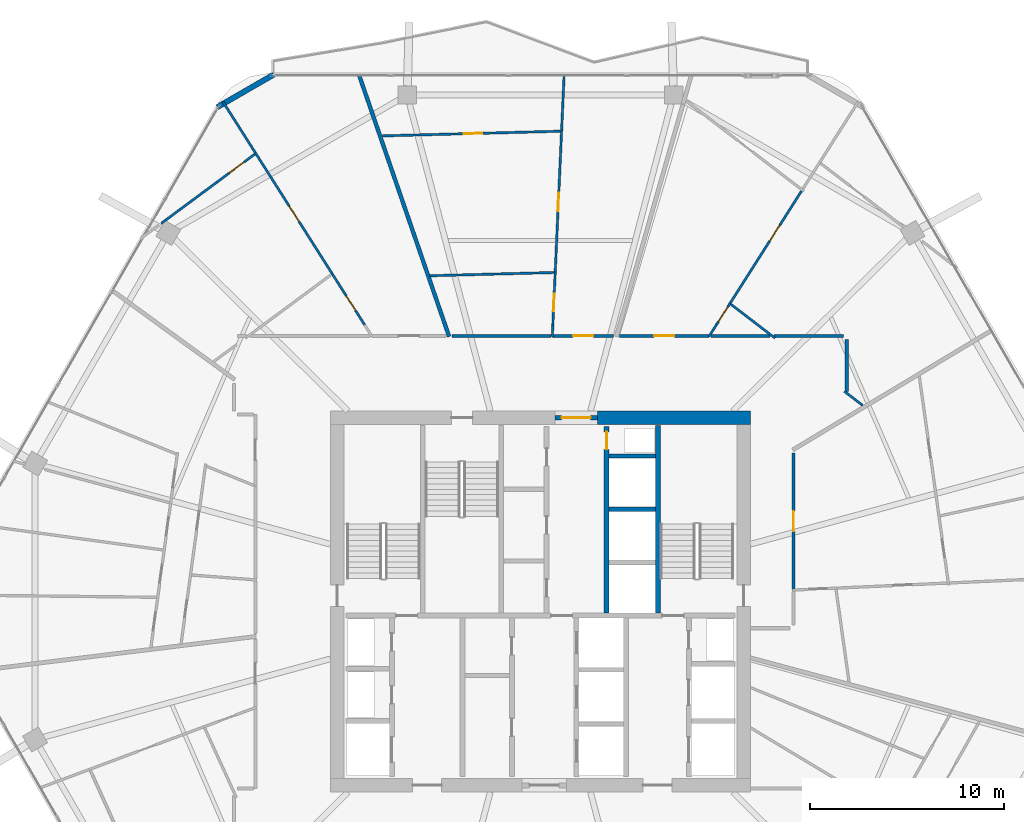
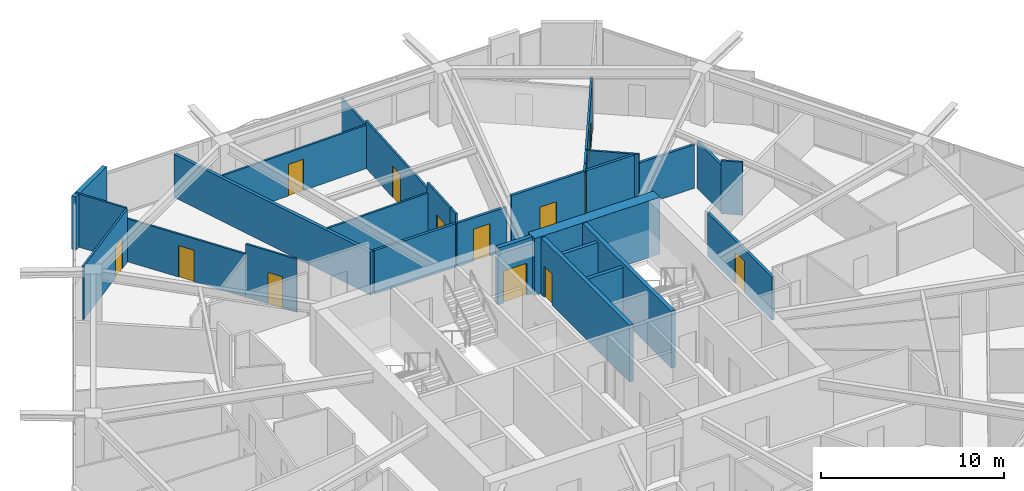
# One storey, part 22 of 25: 30 walls, 13 doors, 13 openings.
"""IFC4 building model written with IfcOpenShell, lengths in metres."""

from ifc_helpers import new_model, si_unit, direction, frame, frame_2d, origin, place, context, subcontext, project, spatial, rectangle, extrude, material, layer, layer_set, type_object, element, fill, save


model = new_model("IFC4")

# Units and contexts
model_context = context("Model", 3, precision=1e-05, world=origin(), true_north=direction((0.0, 1.0)))
body_context = subcontext(model_context, "Body", "Model", "MODEL_VIEW")
ifc_project = project(units=[si_unit("LENGTHUNIT", "METRE"), si_unit("AREAUNIT", "SQUARE_METRE"), si_unit("VOLUMEUNIT", "CUBIC_METRE"), si_unit("PLANEANGLEUNIT", "RADIAN"), si_unit("MASSUNIT", "GRAM", prefix="KILO")], contexts=[model_context])

# Site, building, storey
site_placement = place(None, origin())
site = spatial("IfcSite", under=ifc_project, at=site_placement, CompositionType="ELEMENT")
building_placement = place(site_placement, origin())
building = spatial("IfcBuilding", under=site, at=building_placement, Name="Zuhravey Tower", CompositionType="ELEMENT")
storey_placement = place(building_placement, frame((0.0, 0.0, 196.0)))
storey = spatial("IfcBuildingStorey", under=building, at=storey_placement, Name="L49", CompositionType="ELEMENT", Elevation=196.0)

# Wall
ifc_material_1 = material(Name="Concrete C60/75", Category="concrete")
ifc_layer_1 = layer(ifc_material_1, 0.699951171875)
ifc_layer_set_1 = layer_set([ifc_layer_1], Name="Concrete C60/75")
wall_type_1 = type_object("IfcWallType", Name="Core Shear Wall 700", PredefinedType="SHEAR", material=ifc_layer_set_1)
wall_1_placement = place(storey_placement, frame((46.85009765625, 41.5, 0.0), z_axis=(0.0, 0.0, 1.0), x_axis=(-1.0, 0.0, 0.0)))
element("IfcWall", 1, at=wall_1_placement, inside=storey, type_object=wall_type_1, Name="L49 North-East Core Shear Wall CW70", PredefinedType="SHEAR", context=body_context, shape_type="SweptSolid", body=[
    extrude(rectangle(XDim=7.900146484375, YDim=0.699951171875, at=frame_2d((3.9501953125, 0.0))), origin(), (0.0, 0.0, 1.0), 3.800048828125),
])

# Wall, opening, door
ifc_material_2 = material(Name="Gypsum fire-rated stud partition")
ifc_layer_2 = layer(ifc_material_2, 0.159912109375)
ifc_layer_set_2 = layer_set([ifc_layer_2], Name="Gypsum fire-rated stud partition")
wall_type_2 = type_object("IfcWallType", Name="Corridor Fire Partition 160", PredefinedType="PARTITIONING", material=ifc_layer_set_2)
wall_2_placement = place(storey_placement, frame((44.709716796875, 45.72998046875, 0.0), z_axis=(0.0, 0.0, 1.0), x_axis=(-1.0, 0.0, 0.0)))
wall_2 = element("IfcWall", 2, at=wall_2_placement, inside=storey, type_object=wall_type_2, Name="L49 IW16 Partition 024", PredefinedType="PARTITIONING", context=body_context, shape_type="SweptSolid", body=[
    extrude(rectangle(XDim=4.621826171875, YDim=0.159912109375, at=frame_2d((2.31103515625, 0.0))), origin(), (0.0, 0.0, 1.0), 3.550048828125),
])
opening_1_placement = place(wall_2_placement, frame((1.785888671875, 0.0, 0.0)))
opening_1 = element("IfcOpeningElement", 3, at=opening_1_placement, cuts=wall_2, Name="Opening APD1", PredefinedType="OPENING", context=body_context, shape_type="SweptSolid", body=[
    extrude(rectangle(XDim=1.050048828125, YDim=2.14990234375, at=frame_2d((0.52490234375, 1.074951171875))), frame((0.0, 0.092041015625, 0.0), z_axis=(0.0, -1.0, 0.0), x_axis=(1.0, 0.0, 0.0)), (0.0, 0.0, 1.0), 0.183837890625),
])
ifc_material_3 = material(Name="Solid-core oak fire-rated leaf")
door_type_1 = type_object("IfcDoorType", Name="Apartment Entrance Fire Door 1050x2150", OperationType="NOTDEFINED", PredefinedType="DOOR", material=ifc_material_3)
door_1_placement = place(opening_1_placement, frame((1.050048828125, 0.0, 0.0), z_axis=(0.0, 0.0, 1.0), x_axis=(-1.0, 0.0, 0.0)))
door_1 = element("IfcDoor", 4, at=door_1_placement, inside=storey, type_object=door_type_1, Name="L49 Door 024.1", OperationType="SINGLE_SWING_LEFT", OverallHeight=2.14990234375, OverallWidth=1.050048828125, PredefinedType="DOOR", context=body_context, shape_type="SweptSolid", body=[
    extrude(rectangle(XDim=1.050048828125, YDim=2.14990234375, at=frame_2d((0.52490234375, 1.074951171875))), frame((0.0, 0.02490234375, 0.0), z_axis=(0.0, -1.0, 0.0), x_axis=(1.0, 0.0, 0.0)), (0.0, 0.0, 1.0), 0.050048828125),
])
fill(opening_1, door_1)

wall_3_placement = place(storey_placement, frame((39.786865234375, 45.72998046875, 0.0), z_axis=(0.0, 0.0, 1.0), x_axis=(-1.0, 0.0, 0.0)))
wall_3 = element("IfcWall", 5, at=wall_3_placement, inside=storey, type_object=wall_type_2, Name="L49 IW16 Partition 028", PredefinedType="PARTITIONING", context=body_context, shape_type="SweptSolid", body=[
    extrude(rectangle(XDim=3.148193359375, YDim=0.159912109375, at=frame_2d((1.57421875, 0.0))), origin(), (0.0, 0.0, 1.0), 2.89990234375),
])
opening_2_placement = place(wall_3_placement, frame((1.049072265625, 0.0, 0.0)))
opening_2 = element("IfcOpeningElement", 6, at=opening_2_placement, cuts=wall_3, Name="Opening APD1", PredefinedType="OPENING", context=body_context, shape_type="SweptSolid", body=[
    extrude(rectangle(XDim=1.050048828125, YDim=2.14990234375, at=frame_2d((0.52490234375, 1.074951171875))), frame((0.0, 0.092041015625, 0.0), z_axis=(0.0, -1.0, 0.0), x_axis=(1.0, 0.0, 0.0)), (0.0, 0.0, 1.0), 0.183837890625),
])
door_2_placement = place(opening_2_placement, frame((1.050048828125, 0.0, 0.0), z_axis=(0.0, 0.0, 1.0), x_axis=(-1.0, 0.0, 0.0)))
door_2 = element("IfcDoor", 7, at=door_2_placement, inside=storey, type_object=door_type_1, Name="L49 Door 028.1", OperationType="SINGLE_SWING_LEFT", OverallHeight=2.14990234375, OverallWidth=1.050048828125, PredefinedType="DOOR", context=body_context, shape_type="SweptSolid", body=[
    extrude(rectangle(XDim=1.050048828125, YDim=2.14990234375, at=frame_2d((0.52490234375, 1.074951171875))), frame((0.0, 0.02490234375, 0.0), z_axis=(0.0, -1.0, 0.0), x_axis=(1.0, 0.0, 0.0)), (0.0, 0.0, 1.0), 0.050048828125),
])
fill(opening_2, door_2)

wall_4_placement = place(storey_placement, frame((49.080078125, 32.614013671875, 0.0), z_axis=(0.0, 0.0, 1.0), x_axis=(0.0, 1.0, 0.0)))
wall_4 = element("IfcWall", 8, at=wall_4_placement, inside=storey, type_object=wall_type_2, Name="L49 IW16 Partition 056", PredefinedType="PARTITIONING", context=body_context, shape_type="SweptSolid", body=[
    extrude(rectangle(XDim=7.0673828125, YDim=0.159912109375, at=frame_2d((3.53369140625, 0.0))), origin(), (0.0, 0.0, 1.0), 2.89990234375),
])
opening_3_placement = place(wall_4_placement, frame((3.0087890625, 0.0, 0.0)))
opening_3 = element("IfcOpeningElement", 9, at=opening_3_placement, cuts=wall_4, Name="Opening APD1", PredefinedType="OPENING", context=body_context, shape_type="SweptSolid", body=[
    extrude(rectangle(XDim=1.050048828125, YDim=2.14990234375, at=frame_2d((0.52490234375, 1.074951171875))), frame((0.0, 0.092041015625, 0.0), z_axis=(0.0, -1.0, 0.0), x_axis=(1.0, 0.0, 0.0)), (0.0, 0.0, 1.0), 0.183837890625),
])
door_3_placement = place(opening_3_placement, frame((1.050048828125, 0.0, 0.0), z_axis=(0.0, 0.0, 1.0), x_axis=(-1.0, 0.0, 0.0)))
door_3 = element("IfcDoor", 10, at=door_3_placement, inside=storey, type_object=door_type_1, Name="L49 Door 056.1", OperationType="SINGLE_SWING_RIGHT", OverallHeight=2.14990234375, OverallWidth=1.050048828125, PredefinedType="DOOR", context=body_context, shape_type="SweptSolid", body=[
    extrude(rectangle(XDim=1.050048828125, YDim=2.14990234375, at=frame_2d((0.52490234375, 1.074951171875))), frame((0.0, 0.02490234375, 0.0), z_axis=(0.0, -1.0, 0.0), x_axis=(1.0, 0.0, 0.0)), (0.0, 0.0, 1.0), 0.050048828125),
])
fill(opening_3, door_3)

# Walls
wall_5_placement = place(storey_placement, frame((47.85791015625, 45.72998046875, 0.0), z_axis=(0.0, 0.0, 1.0), x_axis=(-1.0, 0.0, 0.0)))
element("IfcWall", 11, at=wall_5_placement, inside=storey, type_object=wall_type_2, Name="L49 IW16 Partition 119", PredefinedType="PARTITIONING", context=body_context, shape_type="SweptSolid", body=[
    extrude(rectangle(XDim=3.043701171875, YDim=0.159912109375, at=frame_2d((1.52197265625, 0.0))), origin(), (0.0, 0.0, 1.0), 3.550048828125),
])
wall_6_placement = place(storey_placement, frame((51.64990234375, 45.72998046875, 0.0), z_axis=(0.0, 0.0, 1.0), x_axis=(-1.0, 0.0, 0.0)))
element("IfcWall", 12, at=wall_6_placement, inside=storey, type_object=wall_type_2, Name="L49 IW16 Partition 120", PredefinedType="PARTITIONING", context=body_context, shape_type="SweptSolid", body=[
    extrude(rectangle(XDim=3.568603515625, YDim=0.159912109375, at=frame_2d((1.7841796875, 0.0))), origin(), (0.0, 0.0, 1.0), 2.89990234375),
])
wall_7_placement = place(storey_placement, frame((51.830078125, 42.853515625, 0.0), z_axis=(0.0, 0.0, 1.0), x_axis=(0.0, 1.0, 0.0)))
element("IfcWall", 13, at=wall_7_placement, inside=storey, type_object=wall_type_2, Name="L49 IW16 Partition 121", PredefinedType="PARTITIONING", context=body_context, shape_type="SweptSolid", body=[
    extrude(rectangle(XDim=2.696533203125, YDim=0.159912109375, at=frame_2d((1.34814453125, 0.0))), origin(), (0.0, 0.0, 1.0), 3.14990234375),
])
wall_8_placement = place(storey_placement, frame((36.550537109375, 45.72998046875, 0.0), z_axis=(0.0, 0.0, 1.0), x_axis=(-1.0, 0.0, 0.0)))
element("IfcWall", 14, at=wall_8_placement, inside=storey, type_object=wall_type_2, Name="L49 IW16 Partition 122", PredefinedType="PARTITIONING", context=body_context, shape_type="SweptSolid", body=[
    extrude(rectangle(XDim=5.12353515625, YDim=0.159912109375, at=frame_2d((2.561767578125, 0.0))), origin(), (0.0, 0.0, 1.0), 2.89990234375),
])
ifc_material_4 = material(Name="Precast concrete C40/50", Category="concrete")
ifc_layer_3 = layer(ifc_material_4, 0.280029296875)
ifc_layer_set_3 = layer_set([ifc_layer_3], Name="Precast concrete C40/50")
wall_type_3 = type_object("IfcWallType", Name="Crown Architectural Wall 280", PredefinedType="SOLIDWALL", material=ifc_layer_set_3)
wall_9_placement = place(storey_placement, frame((19.306884765625, 57.548095703125, 0.0), z_axis=(0.0, 0.0, 1.0), x_axis=(0.866020068361, 0.500009241111, 0.0)))
element("IfcWall", 15, at=wall_9_placement, inside=storey, type_object=wall_type_3, Name="L49 Rounded Corner Closure Wall EW28-08", PredefinedType="SOLIDWALL", context=body_context, shape_type="SweptSolid", body=[
    extrude(rectangle(XDim=3.365234375, YDim=0.280029296875, at=frame_2d((1.6826171875, 0.0))), origin(), (0.0, 0.0, 1.0), 3.550048828125),
])

# Wall, opening, door
ifc_material_5 = material(Name="Concrete C50/60", Category="concrete")
ifc_layer_4 = layer(ifc_material_5, 0.25)
ifc_layer_set_4 = layer_set([ifc_layer_4], Name="Concrete C50/60")
wall_type_4 = type_object("IfcWallType", Name="Firefighting Shaft & Stair Wall 250", PredefinedType="SOLIDWALL", material=ifc_layer_set_4)
wall_10_placement = place(storey_placement, frame((36.760009765625, 41.5, 0.0), z_axis=(0.0, 0.0, 1.0), x_axis=(1.0, 0.0, 0.0)))
wall_10 = element("IfcWall", 16, at=wall_10_placement, inside=storey, type_object=wall_type_4, Name="L49 FW25 Shaft Wall 002", PredefinedType="SOLIDWALL", context=body_context, shape_type="SweptSolid", body=[
    extrude(rectangle(XDim=2.179931640625, YDim=0.25, at=frame_2d((1.08984375, 0.0))), origin(), (0.0, 0.0, 1.0), 3.800048828125),
])
opening_4_placement = place(wall_10_placement, frame((0.340087890625, 0.0, 0.0)))
opening_4 = element("IfcOpeningElement", 17, at=opening_4_placement, cuts=wall_10, Name="Opening FFD1", PredefinedType="OPENING", context=body_context, shape_type="SweptSolid", body=[
    extrude(rectangle(XDim=1.5, YDim=2.14990234375, at=frame_2d((0.75, 1.074951171875))), frame((0.0, 0.136962890625, 0.0), z_axis=(0.0, -1.0, 0.0), x_axis=(1.0, 0.0, 0.0)), (0.0, 0.0, 1.0), 0.27392578125),
])
ifc_material_6 = material(Name="Galvanised fire-rated steel leaf", Category="steel")
door_type_2 = type_object("IfcDoorType", Name="Firefighting Lobby Double Door 1500x2150", OperationType="DOUBLE_DOOR_SINGLE_SWING", PredefinedType="DOOR", material=ifc_material_6)
door_4_placement = place(opening_4_placement, origin())
door_4 = element("IfcDoor", 18, at=door_4_placement, inside=storey, type_object=door_type_2, Name="L49 North Lift Lobby Exit Door", OperationType="DOUBLE_DOOR_SINGLE_SWING", OverallHeight=2.14990234375, OverallWidth=1.5, PredefinedType="DOOR", context=body_context, shape_type="SweptSolid", body=[
    extrude(rectangle(XDim=1.5, YDim=2.14990234375, at=frame_2d((0.75, 1.074951171875))), frame((0.0, 0.02490234375, 0.0), z_axis=(0.0, -1.0, 0.0), x_axis=(1.0, 0.0, 0.0)), (0.0, 0.0, 1.0), 0.050048828125),
])
fill(opening_4, door_4)

# Wall
wall_11_placement = place(storey_placement, frame((42.074951171875, 31.39990234375, 0.0), z_axis=(0.0, 0.0, 1.0), x_axis=(0.0, 1.0, 0.0)))
element("IfcWall", 19, at=wall_11_placement, inside=storey, type_object=wall_type_4, Name="L49 FW25 Shaft Wall 006", PredefinedType="SOLIDWALL", context=body_context, shape_type="SweptSolid", body=[
    extrude(rectangle(XDim=9.7001953125, YDim=0.25, at=frame_2d((4.85009765625, 0.0))), origin(), (0.0, 0.0, 1.0), 3.800048828125),
])

# Wall, opening, door
wall_12_placement = place(storey_placement, frame((39.425048828125, 31.39990234375, 0.0), z_axis=(0.0, 0.0, 1.0), x_axis=(0.0, 1.0, 0.0)))
wall_12 = element("IfcWall", 20, at=wall_12_placement, inside=storey, type_object=wall_type_4, Name="L49 FW25 Shaft Wall 008", PredefinedType="SOLIDWALL", context=body_context, shape_type="SweptSolid", body=[
    extrude(rectangle(XDim=9.650146484375, YDim=0.25, at=frame_2d((4.8251953125, 0.0))), origin(), (0.0, 0.0, 1.0), 3.800048828125),
])
opening_5_placement = place(wall_12_placement, frame((8.469970703125, 0.0, 0.0)))
opening_5 = element("IfcOpeningElement", 21, at=opening_5_placement, cuts=wall_12, Name="Opening RSD1", PredefinedType="OPENING", context=body_context, shape_type="SweptSolid", body=[
    extrude(rectangle(XDim=0.89990234375, YDim=2.10009765625, at=frame_2d((0.449951171875, 1.050048828125))), frame((0.0, 0.136962890625, 0.0), z_axis=(0.0, -1.0, 0.0), x_axis=(1.0, 0.0, 0.0)), (0.0, 0.0, 1.0), 0.27392578125),
])
ifc_material_7 = material(Name="Galvanised fire-rated steel access leaf", Category="steel")
door_type_3 = type_object("IfcDoorType", Name="Riser & Shaft Access Fire Door 900x2100", OperationType="NOTDEFINED", PredefinedType="DOOR", material=ifc_material_7)
door_5_placement = place(opening_5_placement, origin())
door_5 = element("IfcDoor", 22, at=door_5_placement, inside=storey, type_object=door_type_3, Name="L49 North Riser Door", OperationType="SINGLE_SWING_LEFT", OverallHeight=2.10009765625, OverallWidth=0.89990234375, PredefinedType="DOOR", context=body_context, shape_type="SweptSolid", body=[
    extrude(rectangle(XDim=0.89990234375, YDim=2.10009765625, at=frame_2d((0.449951171875, 1.050048828125))), frame((0.0, 0.02490234375, 0.0), z_axis=(0.0, -1.0, 0.0), x_axis=(1.0, 0.0, 0.0)), (0.0, 0.0, 1.0), 0.050048828125),
])
fill(opening_5, door_5)

# Walls
ifc_material_8 = material(Name="Gypsum double-stud party assembly")
ifc_layer_5 = layer(ifc_material_8, 0.199951171875)
ifc_layer_set_5 = layer_set([ifc_layer_5], Name="Gypsum double-stud party assembly")
wall_type_5 = type_object("IfcWallType", Name="Inter-Tenancy Party Wall 200", PredefinedType="PARTITIONING", material=ifc_layer_set_5)
wall_13_placement = place(storey_placement, frame((31.2861328125, 45.68994140625, 0.0), z_axis=(0.0, 0.0, 1.0), x_axis=(-0.325563588547, 0.945520147756, 0.0)))
element("IfcWall", 23, at=wall_13_placement, inside=storey, type_object=wall_type_5, Name="L49 IW20 Partition 076", PredefinedType="PARTITIONING", context=body_context, shape_type="SweptSolid", body=[
    extrude(rectangle(XDim=14.2705078125, YDim=0.199951171875, at=frame_2d((7.13525390625, 0.0))), origin(), (0.0, 0.0, 1.0), 2.8701171875),
])
ifc_material_9 = material(Name="Gypsum acoustic stud assembly")
ifc_layer_6 = layer(ifc_material_9, 0.219970703125)
ifc_layer_set_6 = layer_set([ifc_layer_6], Name="Gypsum acoustic stud assembly")
wall_type_6 = type_object("IfcWallType", Name="School Acoustic Compartment Wall 220", PredefinedType="PARTITIONING", material=ifc_layer_set_6)
for number, where, z_axis, x_axis, name in (
    (24, (39.55810546875, 36.77490234375, 0.0), (0.0, 0.0, 1.0), (1.0, 0.0, 0.0), "L49 IW22 Partition 060"),
    (25, (39.55810546875, 39.52490234375, 0.0), (0.0, 0.0, 1.0), (1.0, 0.0, 0.0), "L49 IW22 Partition 061"),
):
    element("IfcWall", number, at=place(storey_placement, frame(where, z_axis=z_axis, x_axis=x_axis)), inside=storey, type_object=wall_type_6, Name=name, PredefinedType="PARTITIONING", context=body_context, shape_type="SweptSolid", body=[
        extrude(rectangle(XDim=2.3837890625, YDim=0.219970703125, at=frame_2d((1.19189453125, 0.0))), origin(), (0.0, 0.0, 1.0), 3.550048828125),
    ])

# Wall, opening, door
ifc_material_10 = material(Name="Gypsum metal-stud partition")
ifc_layer_7 = layer(ifc_material_10, 0.1201171875)
ifc_layer_set_7 = layer_set([ifc_layer_7], Name="Gypsum metal-stud partition")
wall_type_7 = type_object("IfcWallType", Name="Unit Internal Partition 120", PredefinedType="PARTITIONING", material=ifc_layer_set_7)
wall_14_placement = place(storey_placement, frame((45.09619140625, 46.300048828125, 0.0), z_axis=(0.0, 0.0, 1.0), x_axis=(0.53661359275, 0.843828093913, 0.0)))
wall_14 = element("IfcWall", 26, at=wall_14_placement, inside=storey, type_object=wall_type_7, Name="L49 IW12 Partition 020", PredefinedType="PARTITIONING", context=body_context, shape_type="SweptSolid", body=[
    extrude(rectangle(XDim=1.3271484375, YDim=0.1201171875, at=frame_2d((0.66357421875, 0.0))), origin(), (0.0, 0.0, 1.0), 3.550048828125),
])
opening_6_placement = place(wall_14_placement, frame((0.199951171875, 0.0, 0.0)))
opening_6 = element("IfcOpeningElement", 27, at=opening_6_placement, cuts=wall_14, Name="Opening WCD1", PredefinedType="OPENING", context=body_context, shape_type="SweptSolid", body=[
    extrude(rectangle(XDim=0.89990234375, YDim=2.10009765625, at=frame_2d((0.449951171875, 1.050048828125))), frame((0.0, 0.072021484375, 0.0), z_axis=(0.0, -1.0, 0.0), x_axis=(1.0, 0.0, 0.0)), (0.0, 0.0, 1.0), 0.14404296875),
])
ifc_material_11 = material(Name="Moisture-resistant timber leaf", Category="wood")
door_type_4 = type_object("IfcDoorType", Name="Bathroom & WC Internal Door 900x2100", OperationType="NOTDEFINED", PredefinedType="DOOR", material=ifc_material_11)
door_6_placement = place(opening_6_placement, frame((0.89990234375, 0.0, 0.0), z_axis=(0.0, 0.0, 1.0), x_axis=(-1.0, 0.0, 0.0)))
door_6 = element("IfcDoor", 28, at=door_6_placement, inside=storey, type_object=door_type_4, Name="Apartment L49-01 Bathroom Door", OperationType="SINGLE_SWING_RIGHT", OverallHeight=2.10009765625, OverallWidth=0.89990234375, PredefinedType="DOOR", context=body_context, shape_type="SweptSolid", body=[
    extrude(rectangle(XDim=0.89990234375, YDim=2.10009765625, at=frame_2d((0.449951171875, 1.050048828125))), frame((0.0, 0.02490234375, 0.0), z_axis=(0.0, -1.0, 0.0), x_axis=(1.0, 0.0, 0.0)), (0.0, 0.0, 1.0), 0.050048828125),
])
fill(opening_6, door_6)

wall_15_placement = place(storey_placement, frame((45.808349609375, 47.419921875, 0.0), z_axis=(0.0, 0.0, 1.0), x_axis=(0.536718974009, 0.843761069817, 0.0)))
wall_15 = element("IfcWall", 29, at=wall_15_placement, inside=storey, type_object=wall_type_7, Name="L49 IW12 Partition 021", PredefinedType="PARTITIONING", context=body_context, shape_type="SweptSolid", body=[
    extrude(rectangle(XDim=6.863525390625, YDim=0.1201171875, at=frame_2d((3.431640625, 0.0))), origin(), (0.0, 0.0, 1.0), 3.550048828125),
])
opening_7_placement = place(wall_15_placement, frame((3.816650390625, 0.0, 0.0)))
opening_7 = element("IfcOpeningElement", 30, at=opening_7_placement, cuts=wall_15, Name="Opening IND1", PredefinedType="OPENING", context=body_context, shape_type="SweptSolid", body=[
    extrude(rectangle(XDim=0.949951171875, YDim=2.10009765625, at=frame_2d((0.47509765625, 1.050048828125))), frame((0.0, 0.072021484375, 0.0), z_axis=(0.0, -1.0, 0.0), x_axis=(1.0, 0.0, 0.0)), (0.0, 0.0, 1.0), 0.14404296875),
])
ifc_material_12 = material(Name="Painted engineered timber leaf", Category="wood")
door_type_5 = type_object("IfcDoorType", Name="Internal Room & Bedroom Door 950x2100", OperationType="NOTDEFINED", PredefinedType="DOOR", material=ifc_material_12)
door_7_placement = place(opening_7_placement, frame((0.949951171875, 0.0, 0.0), z_axis=(0.0, 0.0, 1.0), x_axis=(-1.0, 0.0, 0.0)))
door_7 = element("IfcDoor", 31, at=door_7_placement, inside=storey, type_object=door_type_5, Name="Apartment L49-01 Home Office Door", OperationType="SINGLE_SWING_LEFT", OverallHeight=2.10009765625, OverallWidth=0.949951171875, PredefinedType="DOOR", context=body_context, shape_type="SweptSolid", body=[
    extrude(rectangle(XDim=0.949951171875, YDim=2.10009765625, at=frame_2d((0.47509765625, 1.050048828125))), frame((0.0, 0.02490234375, 0.0), z_axis=(0.0, -1.0, 0.0), x_axis=(1.0, 0.0, 0.0)), (0.0, 0.0, 1.0), 0.050048828125),
])
fill(opening_7, door_7)

wall_16_placement = place(storey_placement, frame((36.644287109375, 46.300048828125, 0.0), z_axis=(0.0, 0.0, 1.0), x_axis=(0.045050848812, 0.998984695089, 0.0)))
wall_16 = element("IfcWall", 32, at=wall_16_placement, inside=storey, type_object=wall_type_7, Name="L49 IW12 Partition 025", PredefinedType="PARTITIONING", context=body_context, shape_type="SweptSolid", body=[
    extrude(rectangle(XDim=2.731201171875, YDim=0.1201171875, at=frame_2d((1.36572265625, 0.0))), origin(), (0.0, 0.0, 1.0), 3.550048828125),
])
opening_8_placement = place(wall_16_placement, frame((0.697265625, 0.0, 0.0)))
opening_8 = element("IfcOpeningElement", 33, at=opening_8_placement, cuts=wall_16, Name="Opening WCD1", PredefinedType="OPENING", context=body_context, shape_type="SweptSolid", body=[
    extrude(rectangle(XDim=0.89990234375, YDim=2.10009765625, at=frame_2d((0.449951171875, 1.050048828125))), frame((0.0, 0.072021484375, 0.0), z_axis=(0.0, -1.0, 0.0), x_axis=(1.0, 0.0, 0.0)), (0.0, 0.0, 1.0), 0.14404296875),
])
door_8_placement = place(opening_8_placement, origin())
door_8 = element("IfcDoor", 34, at=door_8_placement, inside=storey, type_object=door_type_4, Name="Apartment L49-02 Bathroom Door", OperationType="SINGLE_SWING_RIGHT", OverallHeight=2.10009765625, OverallWidth=0.89990234375, PredefinedType="DOOR", context=body_context, shape_type="SweptSolid", body=[
    extrude(rectangle(XDim=0.89990234375, YDim=2.10009765625, at=frame_2d((0.449951171875, 1.050048828125))), frame((0.0, 0.02490234375, 0.0), z_axis=(0.0, -1.0, 0.0), x_axis=(1.0, 0.0, 0.0)), (0.0, 0.0, 1.0), 0.050048828125),
])
fill(opening_8, door_8)

wall_17_placement = place(storey_placement, frame((36.767333984375, 49.028564453125, 0.0), z_axis=(0.0, 0.0, 1.0), x_axis=(0.044997012293, 0.998987121481, 0.0)))
wall_17 = element("IfcWall", 35, at=wall_17_placement, inside=storey, type_object=wall_type_7, Name="L49 IW12 Partition 026", PredefinedType="PARTITIONING", context=body_context, shape_type="SweptSolid", body=[
    extrude(rectangle(XDim=7.308349609375, YDim=0.1201171875, at=frame_2d((3.654296875, 0.0))), origin(), (0.0, 0.0, 1.0), 3.14990234375),
])
opening_9_placement = place(wall_17_placement, frame((3.154296875, 0.0, 0.0)))
opening_9 = element("IfcOpeningElement", 36, at=opening_9_placement, cuts=wall_17, Name="Opening IND1", PredefinedType="OPENING", context=body_context, shape_type="SweptSolid", body=[
    extrude(rectangle(XDim=0.949951171875, YDim=2.10009765625, at=frame_2d((0.47509765625, 1.050048828125))), frame((0.0, 0.072021484375, 0.0), z_axis=(0.0, -1.0, 0.0), x_axis=(1.0, 0.0, 0.0)), (0.0, 0.0, 1.0), 0.14404296875),
])
door_9_placement = place(opening_9_placement, origin())
door_9 = element("IfcDoor", 37, at=door_9_placement, inside=storey, type_object=door_type_5, Name="Apartment L49-02 Home Office Door", OperationType="SINGLE_SWING_LEFT", OverallHeight=2.10009765625, OverallWidth=0.949951171875, PredefinedType="DOOR", context=body_context, shape_type="SweptSolid", body=[
    extrude(rectangle(XDim=0.949951171875, YDim=2.10009765625, at=frame_2d((0.47509765625, 1.050048828125))), frame((0.0, 0.02490234375, 0.0), z_axis=(0.0, -1.0, 0.0), x_axis=(1.0, 0.0, 0.0)), (0.0, 0.0, 1.0), 0.050048828125),
])
fill(opening_9, door_9)

wall_18_placement = place(storey_placement, frame((37.027099609375, 56.302734375, 0.0), z_axis=(0.0, 0.0, 1.0), x_axis=(-0.999657331669, -0.026176692676, 0.0)))
wall_18 = element("IfcWall", 38, at=wall_18_placement, inside=storey, type_object=wall_type_7, Name="L49 IW12 Partition 027", PredefinedType="PARTITIONING", context=body_context, shape_type="SweptSolid", body=[
    extrude(rectangle(XDim=9.186767578125, YDim=0.1201171875, at=frame_2d((4.59326171875, 0.0))), origin(), (0.0, 0.0, 1.0), 2.89990234375),
])
opening_10_placement = place(wall_18_placement, frame((4.0341796875, 0.0, 0.0)))
opening_10 = element("IfcOpeningElement", 39, at=opening_10_placement, cuts=wall_18, Name="Opening IND1", PredefinedType="OPENING", context=body_context, shape_type="SweptSolid", body=[
    extrude(rectangle(XDim=0.949951171875, YDim=2.10009765625, at=frame_2d((0.47509765625, 1.050048828125))), frame((0.0, 0.072021484375, 0.0), z_axis=(0.0, -1.0, 0.0), x_axis=(1.0, 0.0, 0.0)), (0.0, 0.0, 1.0), 0.14404296875),
])
door_10_placement = place(opening_10_placement, frame((0.949951171875, 0.0, 0.0), z_axis=(0.0, 0.0, 1.0), x_axis=(-1.0, 0.0, 0.0)))
door_10 = element("IfcDoor", 40, at=door_10_placement, inside=storey, type_object=door_type_5, Name="Apartment L49-02 Bedroom 1 Door", OperationType="SINGLE_SWING_RIGHT", OverallHeight=2.10009765625, OverallWidth=0.949951171875, PredefinedType="DOOR", context=body_context, shape_type="SweptSolid", body=[
    extrude(rectangle(XDim=0.949951171875, YDim=2.10009765625, at=frame_2d((0.47509765625, 1.050048828125))), frame((0.0, 0.02490234375, 0.0), z_axis=(0.0, -1.0, 0.0), x_axis=(1.0, 0.0, 0.0)), (0.0, 0.0, 1.0), 0.050048828125),
])
fill(opening_10, door_10)

wall_19_placement = place(storey_placement, frame((26.91796875, 46.300048828125, 0.0), z_axis=(0.0, 0.0, 1.0), x_axis=(-0.53615662064, 0.844118521384, 0.0)))
wall_19 = element("IfcWall", 41, at=wall_19_placement, inside=storey, type_object=wall_type_7, Name="L49 IW12 Partition 029", PredefinedType="PARTITIONING", context=body_context, shape_type="SweptSolid", body=[
    extrude(rectangle(XDim=3.143310546875, YDim=0.1201171875, at=frame_2d((1.57177734375, 0.0))), origin(), (0.0, 0.0, 1.0), 3.550048828125),
])
opening_11_placement = place(wall_19_placement, frame((0.8701171875, 0.0, 0.0)))
opening_11 = element("IfcOpeningElement", 42, at=opening_11_placement, cuts=wall_19, Name="Opening WCD1", PredefinedType="OPENING", context=body_context, shape_type="SweptSolid", body=[
    extrude(rectangle(XDim=0.89990234375, YDim=2.10009765625, at=frame_2d((0.449951171875, 1.050048828125))), frame((0.0, 0.072021484375, 0.0), z_axis=(0.0, -1.0, 0.0), x_axis=(1.0, 0.0, 0.0)), (0.0, 0.0, 1.0), 0.14404296875),
])
door_11_placement = place(opening_11_placement, origin())
door_11 = element("IfcDoor", 43, at=door_11_placement, inside=storey, type_object=door_type_4, Name="Apartment L49-03 Bathroom Door", OperationType="SINGLE_SWING_RIGHT", OverallHeight=2.10009765625, OverallWidth=0.89990234375, PredefinedType="DOOR", context=body_context, shape_type="SweptSolid", body=[
    extrude(rectangle(XDim=0.89990234375, YDim=2.10009765625, at=frame_2d((0.449951171875, 1.050048828125))), frame((0.0, 0.02490234375, 0.0), z_axis=(0.0, -1.0, 0.0), x_axis=(1.0, 0.0, 0.0)), (0.0, 0.0, 1.0), 0.050048828125),
])
fill(opening_11, door_11)

wall_20_placement = place(storey_placement, frame((25.23291015625, 48.953369140625, 0.0), z_axis=(0.0, 0.0, 1.0), x_axis=(-0.536123144508, 0.844139783403, 0.0)))
wall_20 = element("IfcWall", 44, at=wall_20_placement, inside=storey, type_object=wall_type_7, Name="L49 IW12 Partition 030", PredefinedType="PARTITIONING", context=body_context, shape_type="SweptSolid", body=[
    extrude(rectangle(XDim=7.3720703125, YDim=0.1201171875, at=frame_2d((3.68603515625, 0.0))), origin(), (0.0, 0.0, 1.0), 2.8701171875),
])
opening_12_placement = place(wall_20_placement, frame((3.18603515625, 0.0, 0.0)))
opening_12 = element("IfcOpeningElement", 45, at=opening_12_placement, cuts=wall_20, Name="Opening IND1", PredefinedType="OPENING", context=body_context, shape_type="SweptSolid", body=[
    extrude(rectangle(XDim=0.949951171875, YDim=2.10009765625, at=frame_2d((0.47509765625, 1.050048828125))), frame((0.0, 0.072021484375, 0.0), z_axis=(0.0, -1.0, 0.0), x_axis=(1.0, 0.0, 0.0)), (0.0, 0.0, 1.0), 0.14404296875),
])
door_12_placement = place(opening_12_placement, origin())
door_12 = element("IfcDoor", 46, at=door_12_placement, inside=storey, type_object=door_type_5, Name="Apartment L49-03 Home Office Door", OperationType="SINGLE_SWING_LEFT", OverallHeight=2.10009765625, OverallWidth=0.949951171875, PredefinedType="DOOR", context=body_context, shape_type="SweptSolid", body=[
    extrude(rectangle(XDim=0.949951171875, YDim=2.10009765625, at=frame_2d((0.47509765625, 1.050048828125))), frame((0.0, 0.02490234375, 0.0), z_axis=(0.0, -1.0, 0.0), x_axis=(1.0, 0.0, 0.0)), (0.0, 0.0, 1.0), 0.050048828125),
])
fill(opening_12, door_12)

wall_21_placement = place(storey_placement, frame((21.239013671875, 55.11474609375, 0.0), z_axis=(0.0, 0.0, 1.0), x_axis=(-0.803850838381, -0.594830925251, 0.0)))
wall_21 = element("IfcWall", 47, at=wall_21_placement, inside=storey, type_object=wall_type_7, Name="L49 IW12 Partition 031", PredefinedType="PARTITIONING", context=body_context, shape_type="SweptSolid", body=[
    extrude(rectangle(XDim=6.007080078125, YDim=0.1201171875, at=frame_2d((3.00341796875, 0.0))), origin(), (0.0, 0.0, 1.0), 3.550048828125),
])
opening_13_placement = place(wall_21_placement, frame((0.684326171875, 0.0, 0.0)))
opening_13 = element("IfcOpeningElement", 48, at=opening_13_placement, cuts=wall_21, Name="Opening IND1", PredefinedType="OPENING", context=body_context, shape_type="SweptSolid", body=[
    extrude(rectangle(XDim=0.949951171875, YDim=2.10009765625, at=frame_2d((0.47509765625, 1.050048828125))), frame((0.0, 0.072021484375, 0.0), z_axis=(0.0, -1.0, 0.0), x_axis=(1.0, 0.0, 0.0)), (0.0, 0.0, 1.0), 0.14404296875),
])
door_13_placement = place(opening_13_placement, frame((0.949951171875, 0.0, 0.0), z_axis=(0.0, 0.0, 1.0), x_axis=(-1.0, 0.0, 0.0)))
door_13 = element("IfcDoor", 49, at=door_13_placement, inside=storey, type_object=door_type_5, Name="Apartment L49-03 Bedroom 1 Door", OperationType="SINGLE_SWING_RIGHT", OverallHeight=2.10009765625, OverallWidth=0.949951171875, PredefinedType="DOOR", context=body_context, shape_type="SweptSolid", body=[
    extrude(rectangle(XDim=0.949951171875, YDim=2.10009765625, at=frame_2d((0.47509765625, 1.050048828125))), frame((0.0, 0.02490234375, 0.0), z_axis=(0.0, -1.0, 0.0), x_axis=(1.0, 0.0, 0.0)), (0.0, 0.0, 1.0), 0.050048828125),
])
fill(opening_13, door_13)

# Walls
wall_22_placement = place(storey_placement, frame((44.709716796875, 45.692626953125, 0.0), z_axis=(0.0, 0.0, 1.0), x_axis=(0.536809663503, 0.843703375108, 0.0)))
element("IfcWall", 50, at=wall_22_placement, inside=storey, type_object=wall_type_7, Name="L49 IW12 Partition 066", PredefinedType="PARTITIONING", context=body_context, shape_type="SweptSolid", body=[
    extrude(rectangle(XDim=0.719970703125, YDim=0.1201171875, at=frame_2d((0.35986328125, 0.0))), origin(), (0.0, 0.0, 1.0), 3.550048828125),
])
wall_23_placement = place(storey_placement, frame((52.656005859375, 42.134033203125, 0.0), z_axis=(0.0, 0.0, 1.0), x_axis=(-0.793293229655, 0.608839758708, 0.0)))
element("IfcWall", 51, at=wall_23_placement, inside=storey, type_object=wall_type_7, Name="L49 IW12 Partition 068", PredefinedType="PARTITIONING", context=body_context, shape_type="SweptSolid", body=[
    extrude(rectangle(XDim=1.192626953125, YDim=0.1201171875, at=frame_2d((0.59619140625, 0.0))), origin(), (0.0, 0.0, 1.0), 3.550048828125),
])
wall_24_placement = place(storey_placement, frame((48.126220703125, 45.610107421875, 0.0), z_axis=(0.0, 0.0, 1.0), x_axis=(-0.793388621377, 0.608715447043, 0.0)))
element("IfcWall", 52, at=wall_24_placement, inside=storey, type_object=wall_type_7, Name="L49 IW12 Partition 069", PredefinedType="PARTITIONING", context=body_context, shape_type="SweptSolid", body=[
    extrude(rectangle(XDim=2.8701171875, YDim=0.1201171875, at=frame_2d((1.43505859375, 0.0))), origin(), (0.0, 0.0, 1.0), 3.550048828125),
])
wall_25_placement = place(storey_placement, frame((36.61669921875, 45.68505859375, 0.0), z_axis=(0.0, 0.0, 1.0), x_axis=(0.0448140033, 0.998995347891, 0.0)))
element("IfcWall", 53, at=wall_25_placement, inside=storey, type_object=wall_type_7, Name="L49 IW12 Partition 073", PredefinedType="PARTITIONING", context=body_context, shape_type="SweptSolid", body=[
    extrude(rectangle(XDim=0.61572265625, YDim=0.1201171875, at=frame_2d((0.307861328125, 0.0))), origin(), (0.0, 0.0, 1.0), 3.550048828125),
])
wall_26_placement = place(storey_placement, frame((37.09619140625, 56.32958984375, 0.0), z_axis=(0.0, 0.0, 1.0), x_axis=(0.045051580252, 0.998984662103, 0.0)))
element("IfcWall", 54, at=wall_26_placement, inside=storey, type_object=wall_type_7, Name="L49 IW12 Partition 074", PredefinedType="PARTITIONING", context=body_context, shape_type="SweptSolid", body=[
    extrude(rectangle(XDim=2.861328125, YDim=0.1201171875, at=frame_2d((1.4306640625, 0.0))), origin(), (0.0, 0.0, 1.0), 2.8701171875),
])
wall_27_placement = place(storey_placement, frame((36.697998046875, 49.001953125, 0.0), z_axis=(0.0, 0.0, 1.0), x_axis=(-0.999656617152, -0.026203965041, 0.0)))
element("IfcWall", 55, at=wall_27_placement, inside=storey, type_object=wall_type_7, Name="L49 IW12 Partition 075", PredefinedType="PARTITIONING", context=body_context, shape_type="SweptSolid", body=[
    extrude(rectangle(XDim=6.43798828125, YDim=0.1201171875, at=frame_2d((3.218994140625, 0.0))), origin(), (0.0, 0.0, 1.0), 2.89990234375),
])
wall_28_placement = place(storey_placement, frame((21.280517578125, 55.176513671875, 0.0), z_axis=(0.0, 0.0, 1.0), x_axis=(-0.536125270128, 0.844138433392, 0.0)))
element("IfcWall", 56, at=wall_28_placement, inside=storey, type_object=wall_type_7, Name="L49 IW12 Partition 078", PredefinedType="PARTITIONING", context=body_context, shape_type="SweptSolid", body=[
    extrude(rectangle(XDim=3.159423828125, YDim=0.1201171875, at=frame_2d((1.57958984375, 0.0))), origin(), (0.0, 0.0, 1.0), 3.550048828125),
])

save(model, "model.ifc")
